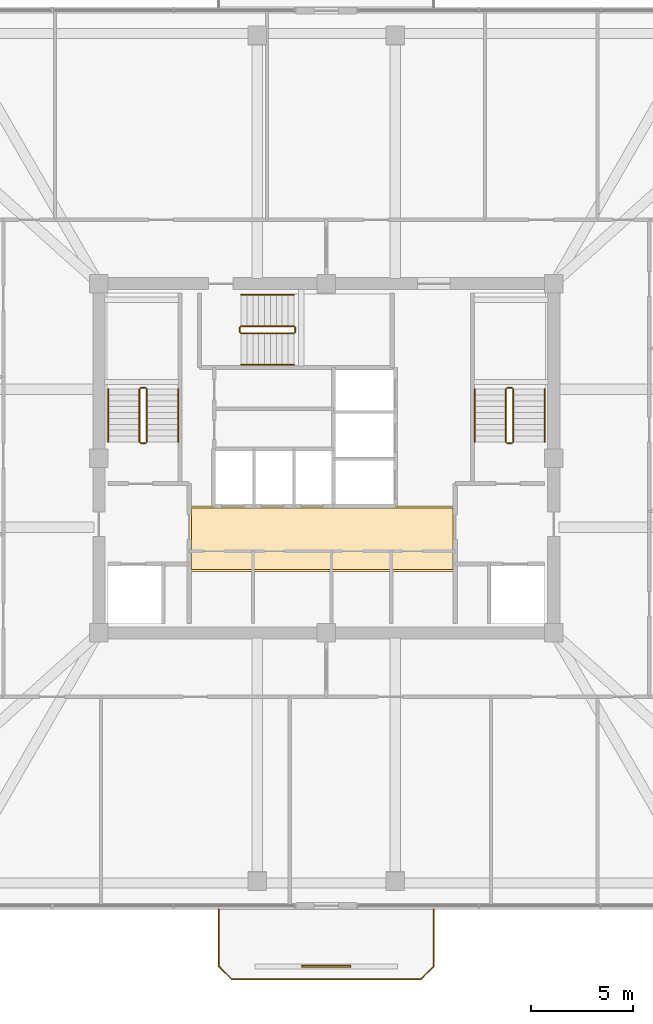
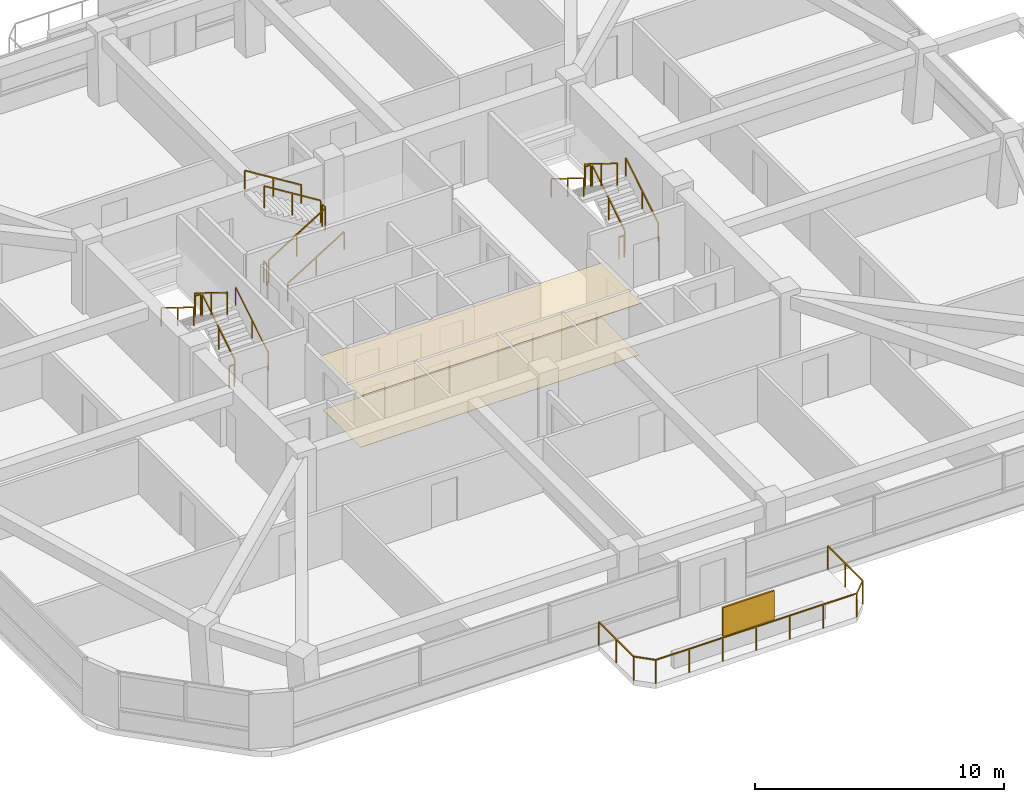
# One storey, part 11 of 12: 19 railings, 2 coverings, 1 shading device.
"""IFC4 building model written with IfcOpenShell, lengths in metres."""

import ifcopenshell
import ifcopenshell.guid

model = None  # the IFC model being written
_history = None  # IfcOwnerHistory: only IFC2X3 demands one
_inside = {}  # id of a spatial element -> (the spatial element, [elements in it])
_under = {}  # id of a project, library or spatial element -> (it, [spatial elements below it])
_declared = {}  # id of a project -> (the project, [libraries it declares])
_typed = {}  # id of a type object -> (the type object, [elements of that type])
_made_of = {}  # id of a material, layer set ... -> (it, [elements and type objects made of it])


def new_model(schema):
    """Start an empty IFC model of exactly this schema.

    Asked for "IFC4X3", IfcOpenShell would pick the latest addendum, in which some entities
    have other attributes; the version numbers below select the first issue.
    IFC2X3 requires an IfcOwnerHistory on every rooted entity: one is made here for all.
    """
    global model, _history
    if schema == "IFC4X3":
        model = ifcopenshell.file(schema_version=(4, 3, 0, 0))
    else:
        model = ifcopenshell.file(schema=schema)
    _inside.clear()
    _under.clear()
    _declared.clear()
    _typed.clear()
    _made_of.clear()
    _history = None
    if model.schema == "IFC2X3":
        org = make("IfcOrganization", Name="unknown")
        user = make(
            "IfcPersonAndOrganization",
            ThePerson=make("IfcPerson", FamilyName="unknown"),
            TheOrganization=org,
        )
        app = make(
            "IfcApplication",
            ApplicationDeveloper=org,
            Version="unknown",
            ApplicationFullName="unknown",
            ApplicationIdentifier="unknown",
        )
        _history = make(
            "IfcOwnerHistory",
            OwningUser=user,
            OwningApplication=app,
            ChangeAction="ADDED",
            CreationDate=0,
        )
    return model


def make(cls, **values):
    """One entity of the class cls with the attributes given. An attribute that is None is left unset."""
    return model.create_entity(
        cls, **{name: value for name, value in values.items() if value is not None}
    )


def rooted(cls, **values):
    """An entity with a GlobalId (a new one), such as an element, a storey or a relation."""
    return make(cls, GlobalId=ifcopenshell.guid.new(), OwnerHistory=_history, **values)


def si_unit(unit_type, name, prefix=None):
    """IfcSIUnit, for example si_unit("LENGTHUNIT", "METRE", prefix="MILLI")."""
    return make("IfcSIUnit", UnitType=unit_type, Prefix=prefix, Name=name)


def derived_unit(unit_type, elements):
    """IfcDerivedUnit: a product of units, each with its exponent."""
    return make(
        "IfcDerivedUnit",
        Elements=[
            make("IfcDerivedUnitElement", Unit=unit, Exponent=power)
            for unit, power in elements
        ],
        UnitType=unit_type,
    )


def assignment(units):
    """IfcUnitAssignment: the units of a project."""
    return None if units is None else make("IfcUnitAssignment", Units=units)


def point(xyz):
    """IfcCartesianPoint."""
    return None if xyz is None else make("IfcCartesianPoint", Coordinates=xyz)


def direction(xyz):
    """IfcDirection."""
    return None if xyz is None else make("IfcDirection", DirectionRatios=xyz)


def frame(location, z_axis=None, x_axis=None):
    """IfcAxis2Placement3D, a coordinate frame: its origin and axes. An axis left out is left unset."""
    return make(
        "IfcAxis2Placement3D",
        Location=point(location),
        Axis=direction(z_axis),
        RefDirection=direction(x_axis),
    )


def frame_2d(location, x_axis=None):
    """IfcAxis2Placement2D, a coordinate frame in the plane: its origin and x axis."""
    return make(
        "IfcAxis2Placement2D", Location=point(location), RefDirection=direction(x_axis)
    )


def origin():
    """The frame at (0, 0, 0) with its axes left unset."""
    return frame((0.0, 0.0, 0.0))


def origin_2d():
    """The frame at (0, 0) in the plane with its x axis left unset."""
    return frame_2d((0.0, 0.0))


def place(relative_to, where):
    """IfcLocalPlacement: puts the frame where relative to a parent placement (None: the world)."""
    return make(
        "IfcLocalPlacement", PlacementRelTo=relative_to, RelativePlacement=where
    )


def context(
    kind, dimensions, precision=None, world=None, true_north=None, identifier=None
):
    """IfcGeometricRepresentationContext, for example the 3D "Model" context."""
    return make(
        "IfcGeometricRepresentationContext",
        ContextIdentifier=identifier,
        ContextType=kind,
        CoordinateSpaceDimension=dimensions,
        Precision=precision,
        WorldCoordinateSystem=world,
        TrueNorth=true_north,
    )


def subcontext(parent, identifier, kind, view, scale=None):
    """IfcGeometricRepresentationSubContext, for example "Body" below "Model"."""
    return make(
        "IfcGeometricRepresentationSubContext",
        ContextIdentifier=identifier,
        ContextType=kind,
        ParentContext=parent,
        TargetScale=scale,
        TargetView=view,
    )


def project(units=None, contexts=None):
    """IfcProject with its units and contexts."""
    return rooted(
        "IfcProject",
        Name="project",
        RepresentationContexts=contexts,
        UnitsInContext=assignment(units),
    )


def spatial(cls, under=None, at=None, **own):
    """A site, building, storey or space (cls), placed at a placement, below another one or the project."""
    s = rooted(cls, ObjectPlacement=at, **own)
    if under is not None:
        _under.setdefault(under.id(), (under, []))[1].append(s)
    return s


def polyline(points):
    """IfcPolyline through the points."""
    return make("IfcPolyline", Points=[point(p) for p in points])


def profile(cls, at=None, kind="AREA", **sizes):
    """A parametric profile (cls). Its sizes go by their IFC names, for example OverallWidth=200.0."""
    return make(cls, ProfileType=kind, Position=at, **sizes)


def rectangle(**sizes):
    """IfcRectangleProfileDef."""
    return profile("IfcRectangleProfileDef", **sizes)


def outline(outer, holes=None, kind="AREA"):
    """IfcArbitraryClosedProfileDef: a profile drawn as a closed curve; with holes, ...WithVoids."""
    if holes is None:
        return make("IfcArbitraryClosedProfileDef", ProfileType=kind, OuterCurve=outer)
    return make(
        "IfcArbitraryProfileDefWithVoids",
        ProfileType=kind,
        OuterCurve=outer,
        InnerCurves=holes,
    )


def extrude(swept, where, along, depth):
    """IfcExtrudedAreaSolid: the profile swept, set in the frame where, extruded along a direction by depth."""
    return make(
        "IfcExtrudedAreaSolid",
        SweptArea=swept,
        Position=where,
        ExtrudedDirection=direction(along),
        Depth=depth,
    )


def shape(context_of_items, identifier, shape_type, items):
    """IfcShapeRepresentation: the items that make up one representation, for example the "Body"."""
    return make(
        "IfcShapeRepresentation",
        ContextOfItems=context_of_items,
        RepresentationIdentifier=identifier,
        RepresentationType=shape_type,
        Items=items,
    )


def material(Name=None, Category=None):
    """IfcMaterial."""
    return make("IfcMaterial", Name=Name, Category=Category)


def layer(
    of_material, thickness, ventilated=None, Name=None, Category=None, Priority=None
):
    """IfcMaterialLayer: one layer of a wall or slab, of a material (None: an air gap)."""
    return make(
        "IfcMaterialLayer",
        Material=of_material,
        LayerThickness=thickness,
        IsVentilated=ventilated,
        Name=Name,
        Category=Category,
        Priority=Priority,
    )


def layer_set(layers, Name=None):
    """IfcMaterialLayerSet."""
    return make("IfcMaterialLayerSet", MaterialLayers=layers, LayerSetName=Name)


def made_of(thing, what):
    """Note that an element or type object is made of a material, layer set ...; save() writes the relation."""
    if what is not None:
        _made_of.setdefault(what.id(), (what, []))[1].append(thing)
    return thing


def type_object(cls, material=None, **own):
    """A type object (cls), such as IfcWallType, which elements share."""
    return made_of(rooted(cls, **own), material)


def element(
    cls,
    number,
    at=None,
    inside=None,
    cuts=None,
    type_object=None,
    material=None,
    context=None,
    identifier="Body",
    shape_type=None,
    held_by="IfcProductDefinitionShape",
    body=None,
    shapes=None,
    **own,
):
    """One element of the class cls, such as IfcWall. Its Tag is "e" and its number.

    at: its placement. inside: the storey or other place that contains it. cuts: it is an
    opening in that element (IfcRelVoidsElement). A single representation is given by context,
    identifier, shape_type and body (its items); several are given by shapes. held_by: the class
    of the entity that holds the representations. save() writes the other relations.
    """
    e = rooted(cls, Tag="e%d" % number, ObjectPlacement=at, **own)
    if body is not None:
        shapes = [shape(context, identifier, shape_type, body)]
    if shapes is not None:
        e.Representation = make(held_by, Representations=shapes)
    if inside is not None:
        _inside.setdefault(inside.id(), (inside, []))[1].append(e)
    if cuts is not None:
        rooted(
            "IfcRelVoidsElement", RelatingBuildingElement=cuts, RelatedOpeningElement=e
        )
    if type_object is not None:
        _typed.setdefault(type_object.id(), (type_object, []))[1].append(e)
    return made_of(e, material)


def aggregate(whole, parts):
    """IfcRelAggregates: a whole, such as a stair, and the parts it consists of."""
    return rooted("IfcRelAggregates", RelatingObject=whole, RelatedObjects=parts)


def save(model, path):
    """Write the relations noted so far, then the file.

    IfcRelAggregates (storeys below a building ...), IfcRelContainedInSpatialStructure (elements
    in a storey), IfcRelDefinesByType, IfcRelAssociatesMaterial and IfcRelDeclares: one each for
    every whole, place, type object, material and project.
    """
    for whole, parts in _under.values():
        aggregate(whole, parts)
    for where, things in _inside.values():
        rooted(
            "IfcRelContainedInSpatialStructure",
            RelatedElements=things,
            RelatingStructure=where,
        )
    for kind, things in _typed.values():
        rooted("IfcRelDefinesByType", RelatedObjects=things, RelatingType=kind)
    for what, things in _made_of.values():
        rooted("IfcRelAssociatesMaterial", RelatedObjects=things, RelatingMaterial=what)
    for by, libraries in _declared.values():
        rooted("IfcRelDeclares", RelatingContext=by, RelatedDefinitions=libraries)
    model.write(path)


model = new_model("IFC4")

# Units and contexts
model_context = context("Model", 3, precision=1e-05, world=origin(), true_north=direction((0.0, 1.0)))
body_context = subcontext(model_context, "Body", "Model", "MODEL_VIEW")
ifc_project = project(units=[si_unit("LENGTHUNIT", "METRE"), si_unit("AREAUNIT", "SQUARE_METRE"), si_unit("VOLUMEUNIT", "CUBIC_METRE"), si_unit("PLANEANGLEUNIT", "RADIAN"), si_unit("MASSUNIT", "GRAM", prefix="KILO"), derived_unit("THERMALTRANSMITTANCEUNIT", [(si_unit("POWERUNIT", "WATT"), 1), (si_unit("LENGTHUNIT", "METRE"), -2), (si_unit("THERMODYNAMICTEMPERATUREUNIT", "KELVIN"), -1)])], contexts=[model_context])

# Site, building, storey
site_placement = place(None, origin())
site = spatial("IfcSite", under=ifc_project, at=site_placement, CompositionType="ELEMENT")
building_placement = place(site_placement, origin())
building = spatial("IfcBuilding", under=site, at=building_placement, Name="Koralith Skygarden Medical Center", CompositionType="ELEMENT")
storey_placement = place(building_placement, frame((0.0, 0.0, 203.580078125)))
storey = spatial("IfcBuildingStorey", under=building, at=storey_placement, Name="L52", CompositionType="ELEMENT", Elevation=203.580078125)

# Covering
ifc_material_1 = material(Name="Acoustic Mineral Tile")
ifc_layer_1 = layer(ifc_material_1, 0.02001953125)
ifc_layer_set_1 = layer_set([ifc_layer_1], Name="Acoustic Mineral Tile")
covering_type_1 = type_object("IfcCoveringType", Name="Acoustic Hygienic Mineral Ceiling 20", PredefinedType="CEILING", material=ifc_layer_set_1)
covering_1_placement = place(storey_placement, frame((0.0, 0.0, 2.5849609375)))
element("IfcCovering", 1, at=covering_1_placement, inside=storey, type_object=covering_type_1, Name="L52 Core Lobby Acoustic Ceiling", PredefinedType="CEILING", context=body_context, shape_type="SweptSolid", body=[
    extrude(outline(polyline([(30.25, 20.320068359375), (43.35009765625, 20.320068359375), (43.35009765625, 23.56005859375), (30.25, 23.56005859375), (30.25, 20.320068359375)])), origin(), (0.0, 0.0, 1.0), 0.02001953125),
])

# Railing
ifc_material_2 = material(Name="Steel ASTM A500 Grade C", Category="steel")
railing_type_1 = type_object("IfcRailingType", Name="Outdoor Terrace & Balcony Safety Guardrail 1180", PredefinedType="GUARDRAIL", material=ifc_material_2)
railing_1_placement = place(storey_placement, frame((31.699951171875, 3.677978515625, 0.0)))
element("IfcRailing", 2, at=railing_1_placement, inside=storey, type_object=railing_type_1, Name="L52 S Balcony Perimeter Guardrail", PredefinedType="GUARDRAIL", context=body_context, shape_type="SweptSolid", body=[
    extrude(rectangle(XDim=0.050048828125, YDim=0.050048828125, at=origin_2d()), frame((0.0, -0.001953125, 1.15478515625), z_axis=(0.0, -1.0, 0.0), x_axis=(1.0, 0.0, 0.0)), (0.0, 0.0, 1.0), 2.796142578125),
    extrude(rectangle(XDim=0.050048828125, YDim=0.050048828125, at=origin_2d()), frame((0.00146484375, -2.801513671875, 1.15478515625), z_axis=(0.707239558722, -0.706973978714, 0.0), x_axis=(0.706973978714, 0.707239558722, 0.0)), (0.0, 0.0, 1.0), 0.915283203125),
    extrude(rectangle(XDim=0.050048828125, YDim=0.050048828125, at=origin_2d()), frame((0.652099609375, -3.449951171875, 1.15478515625), z_axis=(1.0, 0.0, 0.0), x_axis=(0.0, 1.0, 0.0)), (0.0, 0.0, 1.0), 9.2958984375),
    extrude(rectangle(XDim=0.050048828125, YDim=0.050048828125, at=origin_2d()), frame((9.951416015625, -3.448486328125, 1.15478515625), z_axis=(0.707239558722, 0.706973978714, 0.0), x_axis=(-0.706973978714, 0.707239558722, 0.0)), (0.0, 0.0, 1.0), 0.915283203125),
    extrude(rectangle(XDim=0.050048828125, YDim=0.050048828125, at=origin_2d()), frame((10.60009765625, -2.798095703125, 1.15478515625), z_axis=(0.0, 1.0, 0.0), x_axis=(-1.0, 0.0, 0.0)), (0.0, 0.0, 1.0), 2.796142578125),
    extrude(rectangle(XDim=0.0419921875, YDim=0.0419921875, at=origin_2d()), origin(), (0.0, 0.0, 1.0), 1.1279296875),
    extrude(rectangle(XDim=0.0419921875, YDim=0.0419921875, at=origin_2d()), frame((0.0, -1.39990234375, 0.0)), (0.0, 0.0, 1.0), 1.1279296875),
    extrude(rectangle(XDim=0.0419921875, YDim=0.0419921875, at=origin_2d()), frame((0.0, -2.800048828125, 0.0)), (0.0, 0.0, 1.0), 1.1279296875),
    extrude(rectangle(XDim=0.0419921875, YDim=0.0419921875, at=origin_2d()), frame((0.650146484375, -3.449951171875, 0.0)), (0.0, 0.0, 1.0), 1.1279296875),
    extrude(rectangle(XDim=0.0419921875, YDim=0.0419921875, at=origin_2d()), frame((2.2001953125, -3.449951171875, 0.0)), (0.0, 0.0, 1.0), 1.1279296875),
    extrude(rectangle(XDim=0.0419921875, YDim=0.0419921875, at=origin_2d()), frame((3.75, -3.449951171875, 0.0)), (0.0, 0.0, 1.0), 1.1279296875),
    extrude(rectangle(XDim=0.0419921875, YDim=0.0419921875, at=origin_2d()), frame((5.300048828125, -3.449951171875, 0.0)), (0.0, 0.0, 1.0), 1.1279296875),
    extrude(rectangle(XDim=0.0419921875, YDim=0.0419921875, at=origin_2d()), frame((6.85009765625, -3.449951171875, 0.0)), (0.0, 0.0, 1.0), 1.1279296875),
    extrude(rectangle(XDim=0.0419921875, YDim=0.0419921875, at=origin_2d()), frame((8.39990234375, -3.449951171875, 0.0)), (0.0, 0.0, 1.0), 1.1279296875),
    extrude(rectangle(XDim=0.0419921875, YDim=0.0419921875, at=origin_2d()), frame((9.949951171875, -3.449951171875, 0.0)), (0.0, 0.0, 1.0), 1.1279296875),
    extrude(rectangle(XDim=0.0419921875, YDim=0.0419921875, at=origin_2d()), frame((10.60009765625, -2.800048828125, 0.0)), (0.0, 0.0, 1.0), 1.1279296875),
    extrude(rectangle(XDim=0.0419921875, YDim=0.0419921875, at=origin_2d()), frame((10.60009765625, -1.39990234375, 0.0)), (0.0, 0.0, 1.0), 1.1279296875),
    extrude(rectangle(XDim=0.0419921875, YDim=0.0419921875, at=origin_2d()), frame((10.60009765625, 0.0, 0.0)), (0.0, 0.0, 1.0), 1.1279296875),
])

# Shading device
ifc_material_3 = material(Name="Aluminium 6063-T6", Category="aluminium")
ifc_layer_2 = layer(ifc_material_3, 0.080078125)
ifc_layer_set_2 = layer_set([ifc_layer_2], Name="Aluminium 6063-T6")
shading_device_type = type_object("IfcShadingDeviceType", Name="Perforated Biophilic Balcony Trellis Screen", PredefinedType="USERDEFINED", material=ifc_layer_set_2)
shading_device_placement = place(storey_placement, frame((37.0, 0.8779296875, 0.719970703125), z_axis=(0.0, 0.0, 1.0), x_axis=(1.0, 0.0, 0.0)))
element("IfcShadingDevice", 3, at=shading_device_placement, inside=storey, type_object=shading_device_type, Name="L52 S Biophilic Balcony Trellis Screen", ObjectType="HURRICANE SCREEN", PredefinedType="USERDEFINED", context=body_context, shape_type="SweptSolid", body=[
    extrude(rectangle(XDim=2.39990234375, YDim=0.080078125, at=origin_2d()), origin(), (0.0, 0.0, 1.0), 1.39990234375),
])

# Covering
ifc_material_4 = material(Name="Medical Terrazzo Flooring")
ifc_layer_3 = layer(ifc_material_4, 0.014892578125)
ifc_layer_set_3 = layer_set([ifc_layer_3], Name="Medical Terrazzo Flooring")
covering_type_2 = type_object("IfcCoveringType", Name="Seamless Antimicrobial Terrazzo Flooring 15", PredefinedType="FLOORING", material=ifc_layer_set_3)
covering_2_placement = place(storey_placement, origin())
element("IfcCovering", 4, at=covering_2_placement, inside=storey, type_object=covering_type_2, Name="L52 Core Lobby Terrazzo Flooring", PredefinedType="FLOORING", context=body_context, shape_type="SweptSolid", body=[
    extrude(outline(polyline([(30.35009765625, 20.419921875), (43.25, 20.419921875), (43.25, 23.4599609375), (30.35009765625, 23.4599609375), (30.35009765625, 20.419921875)])), origin(), (0.0, 0.0, 1.0), 0.014892578125),
])

# Railings
railing_type_2 = type_object("IfcRailingType", Name="Stair Flight Tubular Handrail 920", PredefinedType="HANDRAIL", material=ifc_material_2)
railing_2_placement = place(storey_placement, frame((29.699951171875, 26.699951171875, 0.179931640625)))
element("IfcRailing", 5, at=railing_2_placement, inside=storey, type_object=railing_type_2, Name="L52 ST1 stair handrail 1", PredefinedType="HANDRAIL", context=body_context, shape_type="SweptSolid", body=[
    extrude(rectangle(XDim=0.050048828125, YDim=0.050048828125, at=origin_2d()), frame((0.0, 0.001708984375, 0.89599609375), z_axis=(0.0, 0.849668407637, 0.527317358963), x_axis=(-1.0, 0.0, 0.0)), (0.0, 0.0, 1.0), 3.06787109375),
    extrude(rectangle(XDim=0.0419921875, YDim=0.0419921875, at=origin_2d()), origin(), (0.0, 0.0, 1.0), 0.867919921875),
    extrude(rectangle(XDim=0.0419921875, YDim=0.0419921875, at=origin_2d()), frame((0.0, 1.30517578125, 0.81005859375)), (0.0, 0.0, 1.0), 0.867919921875),
    extrude(rectangle(XDim=0.0419921875, YDim=0.0419921875, at=origin_2d()), frame((0.0, 2.610107421875, 1.619873046875)), (0.0, 0.0, 1.0), 0.867919921875),
])
railing_3_placement = place(storey_placement, frame((26.25, 29.31005859375, 1.97998046875)))
element("IfcRailing", 6, at=railing_3_placement, inside=storey, type_object=railing_type_2, Name="L52 ST1 stair handrail 2", PredefinedType="HANDRAIL", context=body_context, shape_type="SweptSolid", body=[
    extrude(rectangle(XDim=0.050048828125, YDim=0.050048828125, at=origin_2d()), frame((0.0, -0.001708984375, 0.89599609375), z_axis=(0.0, -0.849668407637, 0.527317358963), x_axis=(1.0, 0.0, 0.0)), (0.0, 0.0, 1.0), 3.06787109375),
    extrude(rectangle(XDim=0.0419921875, YDim=0.0419921875, at=origin_2d()), origin(), (0.0, 0.0, 1.0), 0.867919921875),
    extrude(rectangle(XDim=0.0419921875, YDim=0.0419921875, at=origin_2d()), frame((0.0, -1.30517578125, 0.81005859375)), (0.0, 0.0, 1.0), 0.867919921875),
    extrude(rectangle(XDim=0.0419921875, YDim=0.0419921875, at=origin_2d()), frame((0.0, -2.610107421875, 1.619873046875)), (0.0, 0.0, 1.0), 0.867919921875),
])
railing_4_placement = place(storey_placement, frame((47.75, 26.699951171875, 0.179931640625)))
element("IfcRailing", 7, at=railing_4_placement, inside=storey, type_object=railing_type_2, Name="L52 ST2 stair handrail 1", PredefinedType="HANDRAIL", context=body_context, shape_type="SweptSolid", body=[
    extrude(rectangle(XDim=0.050048828125, YDim=0.050048828125, at=origin_2d()), frame((0.0, 0.001708984375, 0.89599609375), z_axis=(0.0, 0.849668407637, 0.527317358963), x_axis=(-1.0, 0.0, 0.0)), (0.0, 0.0, 1.0), 3.06787109375),
    extrude(rectangle(XDim=0.0419921875, YDim=0.0419921875, at=origin_2d()), origin(), (0.0, 0.0, 1.0), 0.867919921875),
    extrude(rectangle(XDim=0.0419921875, YDim=0.0419921875, at=origin_2d()), frame((0.0, 1.30517578125, 0.81005859375)), (0.0, 0.0, 1.0), 0.867919921875),
    extrude(rectangle(XDim=0.0419921875, YDim=0.0419921875, at=origin_2d()), frame((0.0, 2.610107421875, 1.619873046875)), (0.0, 0.0, 1.0), 0.867919921875),
])
railing_5_placement = place(storey_placement, frame((44.300048828125, 29.31005859375, 1.97998046875)))
element("IfcRailing", 8, at=railing_5_placement, inside=storey, type_object=railing_type_2, Name="L52 ST2 stair handrail 2", PredefinedType="HANDRAIL", context=body_context, shape_type="SweptSolid", body=[
    extrude(rectangle(XDim=0.050048828125, YDim=0.050048828125, at=origin_2d()), frame((0.0, -0.001708984375, 0.89599609375), z_axis=(0.0, -0.849668407637, 0.527317358963), x_axis=(1.0, 0.0, 0.0)), (0.0, 0.0, 1.0), 3.06787109375),
    extrude(rectangle(XDim=0.0419921875, YDim=0.0419921875, at=origin_2d()), origin(), (0.0, 0.0, 1.0), 0.867919921875),
    extrude(rectangle(XDim=0.0419921875, YDim=0.0419921875, at=origin_2d()), frame((0.0, -1.30517578125, 0.81005859375)), (0.0, 0.0, 1.0), 0.867919921875),
    extrude(rectangle(XDim=0.0419921875, YDim=0.0419921875, at=origin_2d()), frame((0.0, -2.610107421875, 1.619873046875)), (0.0, 0.0, 1.0), 0.867919921875),
])
railing_6_placement = place(storey_placement, frame((32.800048828125, 30.5, 0.179931640625)))
element("IfcRailing", 9, at=railing_6_placement, inside=storey, type_object=railing_type_2, Name="L52 ST3 stair handrail 1", PredefinedType="HANDRAIL", context=body_context, shape_type="SweptSolid", body=[
    extrude(rectangle(XDim=0.050048828125, YDim=0.050048828125, at=origin_2d()), frame((0.001708984375, 0.0, 0.89599609375), z_axis=(0.849646306263, 0.0, 0.527352969322), x_axis=(0.0, 1.0, 0.0)), (0.0, 0.0, 1.0), 3.067626953125),
    extrude(rectangle(XDim=0.0419921875, YDim=0.0419921875, at=origin_2d()), origin(), (0.0, 0.0, 1.0), 0.867919921875),
    extrude(rectangle(XDim=0.0419921875, YDim=0.0419921875, at=origin_2d()), frame((1.304931640625, 0.0, 0.81005859375)), (0.0, 0.0, 1.0), 0.867919921875),
    extrude(rectangle(XDim=0.0419921875, YDim=0.0419921875, at=origin_2d()), frame((2.60986328125, 0.0, 1.619873046875)), (0.0, 0.0, 1.0), 0.867919921875),
])
railing_7_placement = place(storey_placement, frame((35.409912109375, 33.949951171875, 1.97998046875)))
element("IfcRailing", 10, at=railing_7_placement, inside=storey, type_object=railing_type_2, Name="L52 ST3 stair handrail 2", PredefinedType="HANDRAIL", context=body_context, shape_type="SweptSolid", body=[
    extrude(rectangle(XDim=0.050048828125, YDim=0.050048828125, at=origin_2d()), frame((-0.001708984375, 0.0, 0.89599609375), z_axis=(-0.849646306263, 0.0, 0.527352969322), x_axis=(0.0, -1.0, 0.0)), (0.0, 0.0, 1.0), 3.067626953125),
    extrude(rectangle(XDim=0.0419921875, YDim=0.0419921875, at=origin_2d()), origin(), (0.0, 0.0, 1.0), 0.867919921875),
    extrude(rectangle(XDim=0.0419921875, YDim=0.0419921875, at=origin_2d()), frame((-1.304931640625, 0.0, 0.81005859375)), (0.0, 0.0, 1.0), 0.867919921875),
    extrude(rectangle(XDim=0.0419921875, YDim=0.0419921875, at=origin_2d()), frame((-2.60986328125, 0.0, 1.619873046875)), (0.0, 0.0, 1.0), 0.867919921875),
])
railing_type_3 = type_object("IfcRailingType", Name="Stair Well Safety Guardrail 1100", PredefinedType="GUARDRAIL", material=ifc_material_2)
railing_8_placement = place(storey_placement, frame((28.14990234375, 26.699951171875, 0.179931640625)))
element("IfcRailing", 11, at=railing_8_placement, inside=storey, type_object=railing_type_3, Name="L52 ST1 stair guard 1", PredefinedType="GUARDRAIL", context=body_context, shape_type="SweptSolid", body=[
    extrude(rectangle(XDim=0.050048828125, YDim=0.050048828125, at=origin_2d()), frame((0.0, 0.001708984375, 1.076171875), z_axis=(0.0, 0.849668407637, 0.527317358963), x_axis=(-1.0, 0.0, 0.0)), (0.0, 0.0, 1.0), 3.06787109375),
    extrude(rectangle(XDim=0.0419921875, YDim=0.0419921875, at=origin_2d()), origin(), (0.0, 0.0, 1.0), 1.048095703125),
    extrude(rectangle(XDim=0.0419921875, YDim=0.0419921875, at=origin_2d()), frame((0.0, 1.30517578125, 0.81005859375)), (0.0, 0.0, 1.0), 1.048095703125),
    extrude(rectangle(XDim=0.0419921875, YDim=0.0419921875, at=origin_2d()), frame((0.0, 2.610107421875, 1.619873046875)), (0.0, 0.0, 1.0), 1.048095703125),
])
railing_9_placement = place(storey_placement, frame((28.10009765625, 29.360107421875, 1.7998046875)))
element("IfcRailing", 12, at=railing_9_placement, inside=storey, type_object=railing_type_3, Name="L52 ST1 stair guard 2", PredefinedType="GUARDRAIL", context=body_context, shape_type="SweptSolid", body=[
    extrude(rectangle(XDim=0.050048828125, YDim=0.050048828125, at=origin_2d()), frame((-0.001953125, 0.0, 1.0751953125), z_axis=(-1.0, 0.0, 0.0), x_axis=(0.0, -1.0, 0.0)), (0.0, 0.0, 1.0), 0.24609375),
    extrude(rectangle(XDim=0.0419921875, YDim=0.0419921875, at=origin_2d()), origin(), (0.0, 0.0, 1.0), 1.048095703125),
    extrude(rectangle(XDim=0.0419921875, YDim=0.0419921875, at=origin_2d()), frame((-0.25, 0.0, 0.0)), (0.0, 0.0, 1.0), 1.048095703125),
])
railing_10_placement = place(storey_placement, frame((27.800048828125, 29.31005859375, 1.97998046875)))
element("IfcRailing", 13, at=railing_10_placement, inside=storey, type_object=railing_type_3, Name="L52 ST1 stair guard 3", PredefinedType="GUARDRAIL", context=body_context, shape_type="SweptSolid", body=[
    extrude(rectangle(XDim=0.050048828125, YDim=0.050048828125, at=origin_2d()), frame((0.0, -0.001708984375, 1.076171875), z_axis=(0.0, -0.849668407637, 0.527317358963), x_axis=(1.0, 0.0, 0.0)), (0.0, 0.0, 1.0), 3.06787109375),
    extrude(rectangle(XDim=0.0419921875, YDim=0.0419921875, at=origin_2d()), origin(), (0.0, 0.0, 1.0), 1.048095703125),
    extrude(rectangle(XDim=0.0419921875, YDim=0.0419921875, at=origin_2d()), frame((0.0, -1.30517578125, 0.81005859375)), (0.0, 0.0, 1.0), 1.048095703125),
    extrude(rectangle(XDim=0.0419921875, YDim=0.0419921875, at=origin_2d()), frame((0.0, -2.610107421875, 1.619873046875)), (0.0, 0.0, 1.0), 1.048095703125),
])
railing_11_placement = place(storey_placement, frame((28.10009765625, 26.64990234375, 0.0)))
element("IfcRailing", 14, at=railing_11_placement, inside=storey, type_object=railing_type_3, Name="L52 ST1 stair guard 4", PredefinedType="GUARDRAIL", context=body_context, shape_type="SweptSolid", body=[
    extrude(rectangle(XDim=0.050048828125, YDim=0.050048828125, at=origin_2d()), frame((-0.001953125, 0.0, 1.0751953125), z_axis=(-1.0, 0.0, 0.0), x_axis=(0.0, -1.0, 0.0)), (0.0, 0.0, 1.0), 0.24609375),
    extrude(rectangle(XDim=0.0419921875, YDim=0.0419921875, at=origin_2d()), origin(), (0.0, 0.0, 1.0), 1.048095703125),
    extrude(rectangle(XDim=0.0419921875, YDim=0.0419921875, at=origin_2d()), frame((-0.25, 0.0, 0.0)), (0.0, 0.0, 1.0), 1.048095703125),
])
railing_12_placement = place(storey_placement, frame((46.199951171875, 26.699951171875, 0.179931640625)))
element("IfcRailing", 15, at=railing_12_placement, inside=storey, type_object=railing_type_3, Name="L52 ST2 stair guard 1", PredefinedType="GUARDRAIL", context=body_context, shape_type="SweptSolid", body=[
    extrude(rectangle(XDim=0.050048828125, YDim=0.050048828125, at=origin_2d()), frame((0.0, 0.001708984375, 1.076171875), z_axis=(0.0, 0.849668407637, 0.527317358963), x_axis=(-1.0, 0.0, 0.0)), (0.0, 0.0, 1.0), 3.06787109375),
    extrude(rectangle(XDim=0.0419921875, YDim=0.0419921875, at=origin_2d()), origin(), (0.0, 0.0, 1.0), 1.048095703125),
    extrude(rectangle(XDim=0.0419921875, YDim=0.0419921875, at=origin_2d()), frame((0.0, 1.30517578125, 0.81005859375)), (0.0, 0.0, 1.0), 1.048095703125),
    extrude(rectangle(XDim=0.0419921875, YDim=0.0419921875, at=origin_2d()), frame((0.0, 2.610107421875, 1.619873046875)), (0.0, 0.0, 1.0), 1.048095703125),
])
railing_13_placement = place(storey_placement, frame((46.14990234375, 29.360107421875, 1.7998046875)))
element("IfcRailing", 16, at=railing_13_placement, inside=storey, type_object=railing_type_3, Name="L52 ST2 stair guard 2", PredefinedType="GUARDRAIL", context=body_context, shape_type="SweptSolid", body=[
    extrude(rectangle(XDim=0.050048828125, YDim=0.050048828125, at=origin_2d()), frame((-0.001953125, 0.0, 1.0751953125), z_axis=(-1.0, 0.0, 0.0), x_axis=(0.0, -1.0, 0.0)), (0.0, 0.0, 1.0), 0.24609375),
    extrude(rectangle(XDim=0.0419921875, YDim=0.0419921875, at=origin_2d()), origin(), (0.0, 0.0, 1.0), 1.048095703125),
    extrude(rectangle(XDim=0.0419921875, YDim=0.0419921875, at=origin_2d()), frame((-0.25, 0.0, 0.0)), (0.0, 0.0, 1.0), 1.048095703125),
])
railing_14_placement = place(storey_placement, frame((45.85009765625, 29.31005859375, 1.97998046875)))
element("IfcRailing", 17, at=railing_14_placement, inside=storey, type_object=railing_type_3, Name="L52 ST2 stair guard 3", PredefinedType="GUARDRAIL", context=body_context, shape_type="SweptSolid", body=[
    extrude(rectangle(XDim=0.050048828125, YDim=0.050048828125, at=origin_2d()), frame((0.0, -0.001708984375, 1.076171875), z_axis=(0.0, -0.849668407637, 0.527317358963), x_axis=(1.0, 0.0, 0.0)), (0.0, 0.0, 1.0), 3.06787109375),
    extrude(rectangle(XDim=0.0419921875, YDim=0.0419921875, at=origin_2d()), origin(), (0.0, 0.0, 1.0), 1.048095703125),
    extrude(rectangle(XDim=0.0419921875, YDim=0.0419921875, at=origin_2d()), frame((0.0, -1.30517578125, 0.81005859375)), (0.0, 0.0, 1.0), 1.048095703125),
    extrude(rectangle(XDim=0.0419921875, YDim=0.0419921875, at=origin_2d()), frame((0.0, -2.610107421875, 1.619873046875)), (0.0, 0.0, 1.0), 1.048095703125),
])
railing_15_placement = place(storey_placement, frame((46.14990234375, 26.64990234375, 0.0)))
element("IfcRailing", 18, at=railing_15_placement, inside=storey, type_object=railing_type_3, Name="L52 ST2 stair guard 4", PredefinedType="GUARDRAIL", context=body_context, shape_type="SweptSolid", body=[
    extrude(rectangle(XDim=0.050048828125, YDim=0.050048828125, at=origin_2d()), frame((-0.001953125, 0.0, 1.0751953125), z_axis=(-1.0, 0.0, 0.0), x_axis=(0.0, -1.0, 0.0)), (0.0, 0.0, 1.0), 0.24609375),
    extrude(rectangle(XDim=0.0419921875, YDim=0.0419921875, at=origin_2d()), origin(), (0.0, 0.0, 1.0), 1.048095703125),
    extrude(rectangle(XDim=0.0419921875, YDim=0.0419921875, at=origin_2d()), frame((-0.25, 0.0, 0.0)), (0.0, 0.0, 1.0), 1.048095703125),
])
railing_16_placement = place(storey_placement, frame((32.800048828125, 32.050048828125, 0.179931640625)))
element("IfcRailing", 19, at=railing_16_placement, inside=storey, type_object=railing_type_3, Name="L52 ST3 stair guard 1", PredefinedType="GUARDRAIL", context=body_context, shape_type="SweptSolid", body=[
    extrude(rectangle(XDim=0.050048828125, YDim=0.050048828125, at=origin_2d()), frame((0.001708984375, 0.0, 1.076171875), z_axis=(0.849646306263, 0.0, 0.527352969322), x_axis=(0.0, 1.0, 0.0)), (0.0, 0.0, 1.0), 3.067626953125),
    extrude(rectangle(XDim=0.0419921875, YDim=0.0419921875, at=origin_2d()), origin(), (0.0, 0.0, 1.0), 1.048095703125),
    extrude(rectangle(XDim=0.0419921875, YDim=0.0419921875, at=origin_2d()), frame((1.304931640625, 0.0, 0.81005859375)), (0.0, 0.0, 1.0), 1.048095703125),
    extrude(rectangle(XDim=0.0419921875, YDim=0.0419921875, at=origin_2d()), frame((2.60986328125, 0.0, 1.619873046875)), (0.0, 0.0, 1.0), 1.048095703125),
])
railing_17_placement = place(storey_placement, frame((35.4599609375, 32.10009765625, 1.7998046875)))
element("IfcRailing", 20, at=railing_17_placement, inside=storey, type_object=railing_type_3, Name="L52 ST3 stair guard 2", PredefinedType="GUARDRAIL", context=body_context, shape_type="SweptSolid", body=[
    extrude(rectangle(XDim=0.050048828125, YDim=0.050048828125, at=origin_2d()), frame((0.0, 0.001953125, 1.0751953125), z_axis=(0.0, 1.0, 0.0), x_axis=(-1.0, 0.0, 0.0)), (0.0, 0.0, 1.0), 0.24609375),
    extrude(rectangle(XDim=0.0419921875, YDim=0.0419921875, at=origin_2d()), origin(), (0.0, 0.0, 1.0), 1.048095703125),
    extrude(rectangle(XDim=0.0419921875, YDim=0.0419921875, at=origin_2d()), frame((0.0, 0.25, 0.0)), (0.0, 0.0, 1.0), 1.048095703125),
])
railing_18_placement = place(storey_placement, frame((35.409912109375, 32.39990234375, 1.97998046875)))
element("IfcRailing", 21, at=railing_18_placement, inside=storey, type_object=railing_type_3, Name="L52 ST3 stair guard 3", PredefinedType="GUARDRAIL", context=body_context, shape_type="SweptSolid", body=[
    extrude(rectangle(XDim=0.050048828125, YDim=0.050048828125, at=origin_2d()), frame((-0.001708984375, 0.0, 1.076171875), z_axis=(-0.849646306263, 0.0, 0.527352969322), x_axis=(0.0, -1.0, 0.0)), (0.0, 0.0, 1.0), 3.067626953125),
    extrude(rectangle(XDim=0.0419921875, YDim=0.0419921875, at=origin_2d()), origin(), (0.0, 0.0, 1.0), 1.048095703125),
    extrude(rectangle(XDim=0.0419921875, YDim=0.0419921875, at=origin_2d()), frame((-1.304931640625, 0.0, 0.81005859375)), (0.0, 0.0, 1.0), 1.048095703125),
    extrude(rectangle(XDim=0.0419921875, YDim=0.0419921875, at=origin_2d()), frame((-2.60986328125, 0.0, 1.619873046875)), (0.0, 0.0, 1.0), 1.048095703125),
])
railing_19_placement = place(storey_placement, frame((32.75, 32.10009765625, 0.0)))
element("IfcRailing", 22, at=railing_19_placement, inside=storey, type_object=railing_type_3, Name="L52 ST3 stair guard 4", PredefinedType="GUARDRAIL", context=body_context, shape_type="SweptSolid", body=[
    extrude(rectangle(XDim=0.050048828125, YDim=0.050048828125, at=origin_2d()), frame((0.0, 0.001953125, 1.0751953125), z_axis=(0.0, 1.0, 0.0), x_axis=(-1.0, 0.0, 0.0)), (0.0, 0.0, 1.0), 0.24609375),
    extrude(rectangle(XDim=0.0419921875, YDim=0.0419921875, at=origin_2d()), origin(), (0.0, 0.0, 1.0), 1.048095703125),
    extrude(rectangle(XDim=0.0419921875, YDim=0.0419921875, at=origin_2d()), frame((0.0, 0.25, 0.0)), (0.0, 0.0, 1.0), 1.048095703125),
])

save(model, "model.ifc")
